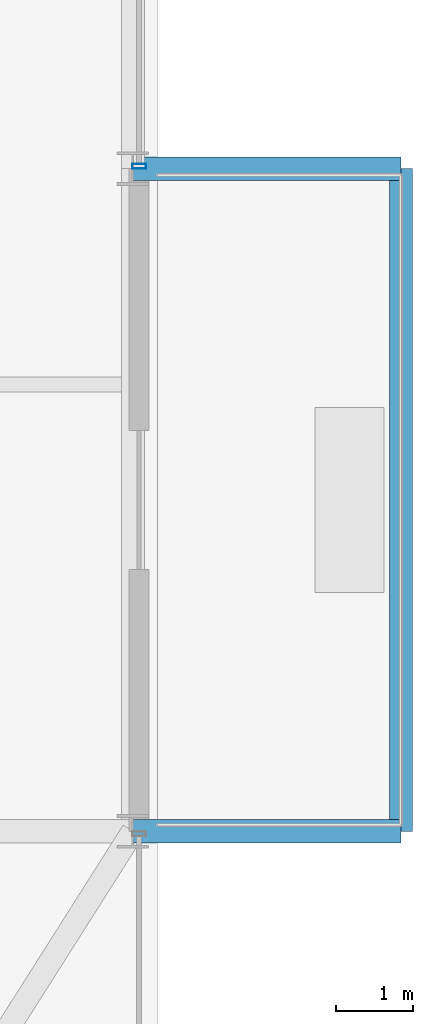
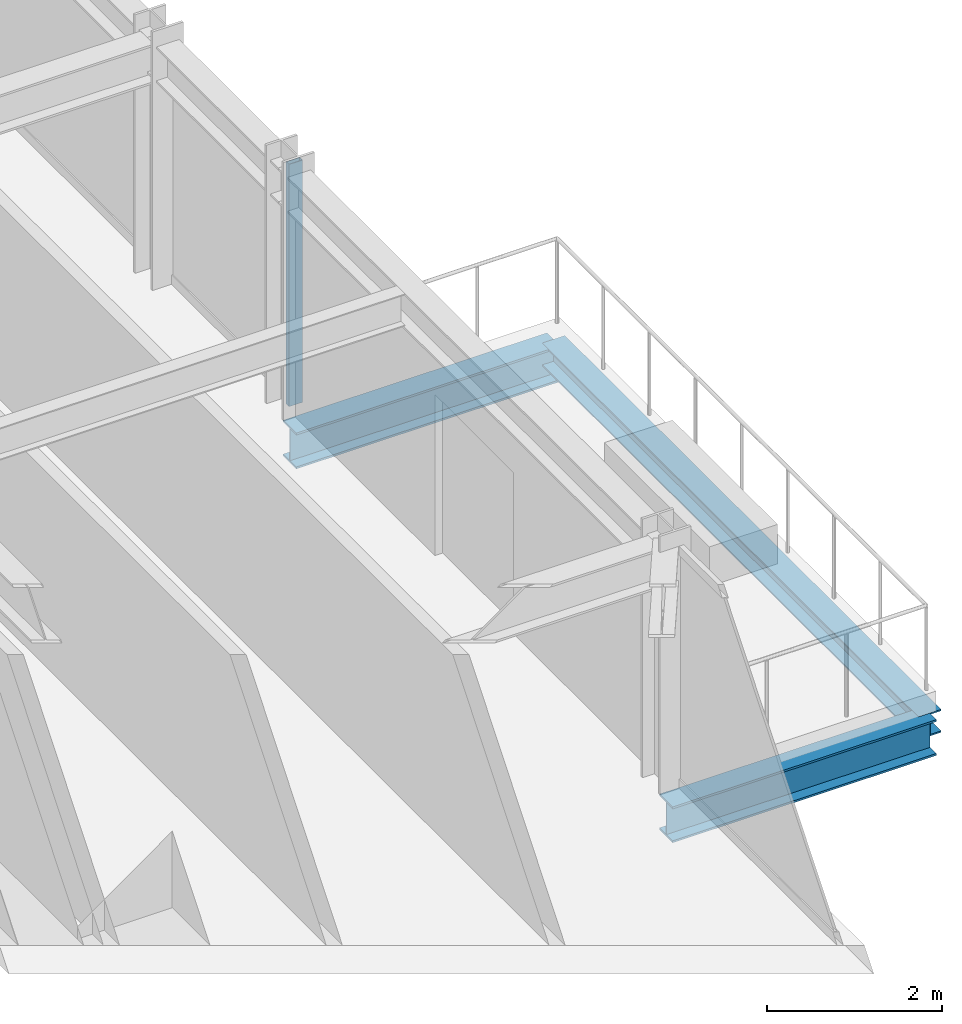
# One storey, part 13 of 34: 3 beams, 1 member, 1 element without a shape of its own.
"""IFC4 building model written with IfcOpenShell, lengths in metres."""

from ifc_helpers import new_model, si_unit, direction, frame, origin, origin_2d, place, context, subcontext, project, spatial, hollow_rectangle, i_section, extrude, source, transform, mapped, material, material_profile, profile_set, type_object, element, aggregate, save


model = new_model("IFC4")

# Units and contexts
model_context = context("Model", 3, precision=1e-05, world=origin(), true_north=direction((0.0, 1.0)))
body_context = subcontext(model_context, "Body", "Model", "MODEL_VIEW")
ifc_project = project(units=[si_unit("LENGTHUNIT", "METRE"), si_unit("AREAUNIT", "SQUARE_METRE"), si_unit("VOLUMEUNIT", "CUBIC_METRE"), si_unit("PLANEANGLEUNIT", "RADIAN"), si_unit("MASSUNIT", "GRAM", prefix="KILO")], contexts=[model_context])

# Site, building, storey
site_placement = place(None, origin())
site = spatial("IfcSite", under=ifc_project, at=site_placement, CompositionType="ELEMENT")
building_placement = place(site_placement, origin())
building = spatial("IfcBuilding", under=site, at=building_placement, Name="Nahalor Promenade Grand Hotel", CompositionType="ELEMENT")
storey_placement = place(building_placement, frame((0.0, 0.0, 128.449951171875)))
storey = spatial("IfcBuildingStorey", under=building, at=storey_placement, Name="L32", CompositionType="ELEMENT", Elevation=128.449951171875)

# Beams
ifc_material_1 = material(Name="Steel S355JR", Category="steel")
ifc_material_profile_1 = material_profile(ifc_material_1, i_section(OverallWidth=0.3, OverallDepth=0.32, WebThickness=0.0115, FlangeThickness=0.0205, at=origin_2d()), Name="HEB 320")
ifc_profile_set_1 = profile_set([ifc_material_profile_1], Name="Steel S355JR")
beam_type_1 = type_object("IfcBeamType", Name="Beam-BalcEdge-HEB320", PredefinedType="SPANDREL", material=ifc_profile_set_1)
shared_shape_1 = source(origin(), body_context, "Body", "SweptSolid", [
    extrude(i_section(OverallWidth=0.3, OverallDepth=0.32, WebThickness=0.0115, FlangeThickness=0.0205, at=origin_2d()), origin(), (0.0, 0.0, 1.0), 8.60009765625),
])
beam_placement = place(storey_placement, frame((27.260009765625, -17.0, -0.43994140625), z_axis=(0.0, 1.0, 0.0), x_axis=(-1.0, 0.0, 0.0)))
element("IfcBeam", 1, at=beam_placement, inside=storey, type_object=beam_type_1, Name="BM-L32-BC-02-F", PredefinedType="SPANDREL", context=body_context, shape_type="MappedRepresentation", body=[
    mapped(shared_shape_1, transform((0.0, 0.0, 0.0), scale=1.0)),
])
ifc_material_profile_2 = material_profile(ifc_material_1, i_section(OverallWidth=0.3, OverallDepth=0.5, WebThickness=0.0145, FlangeThickness=0.028, at=origin_2d()), Name="HEB 500")
ifc_profile_set_2 = profile_set([ifc_material_profile_2], Name="Steel S355JR")
beam_type_2 = type_object("IfcBeamType", Name="Beam-Outrigger-HEB500", PredefinedType="BEAM", material=ifc_profile_set_2)
shared_shape_2 = source(origin(), body_context, "Body", "SweptSolid", [
    extrude(i_section(OverallWidth=0.3, OverallDepth=0.5, WebThickness=0.0145, FlangeThickness=0.028, at=origin_2d()), origin(), (0.0, 0.0, 1.0), 3.47998046875),
])
for number, where, z_axis, x_axis, name in (
    (2, (23.780029296875, -17.0, -0.530029296875), (1.0, 0.0, 0.0), (0.0, 1.0, 0.0), "BM-L32-BC-02-1"),
    (3, (23.780029296875, -8.39990234375, -0.530029296875), (1.0, 0.0, 0.0), (0.0, 1.0, 0.0), "BM-L32-BC-02-2"),
):
    element("IfcBeam", number, at=place(storey_placement, frame(where, z_axis=z_axis, x_axis=x_axis)), inside=storey, type_object=beam_type_2, Name=name, PredefinedType="BEAM", context=body_context, shape_type="MappedRepresentation", body=[
        mapped(shared_shape_2, transform((0.0, 0.0, 0.0), scale=1.0)),
    ])

# Curtain wall, member
ifc_material_2 = material(Name="Anodised Bronze Aluminium EN AW-6063 T6", Category="aluminium")
curtain_wall_type = type_object("IfcCurtainWallType", Name="CW2 Typical Hotel Flush Bronze Unitised Curtain Wall", PredefinedType="USERDEFINED", material=ifc_material_2)
curtain_wall_placement = place(storey_placement, origin())
curtain_wall = element("IfcCurtainWall", 4, at=curtain_wall_placement, inside=storey, type_object=curtain_wall_type, Name="L32 Curtain Wall CW-L32-E-3", ObjectType="UNITISED_CURTAIN_WALL", PredefinedType="USERDEFINED")
ifc_material_profile_3 = material_profile(ifc_material_2, hollow_rectangle(XDim=0.065, YDim=0.18, WallThickness=0.004, at=origin_2d()), Name="CWM 65x180x4")
ifc_profile_set_3 = profile_set([ifc_material_profile_3], Name="Anodised Bronze Aluminium EN AW-6063 T6")
member_type = type_object("IfcMemberType", Name="CWM2 Typical Bronze Mullion 65x180", PredefinedType="MULLION", material=ifc_profile_set_3)
shared_shape_3 = source(origin(), body_context, "Body", "SweptSolid", [
    extrude(hollow_rectangle(XDim=0.065, YDim=0.18, WallThickness=0.004, at=origin_2d()), origin(), (0.0, 0.0, 1.0), 3.380126953125),
])
member_placement = place(storey_placement, frame((23.860107421875, -8.367431640625, 0.0), z_axis=(0.0, 0.0, 1.0), x_axis=(0.0, 1.0, 0.0)))
member = element("IfcMember", 5, at=member_placement, type_object=member_type, Name="CW-L32-E-3 Mullion 0", PredefinedType="MULLION", context=body_context, shape_type="MappedRepresentation", body=[
    mapped(shared_shape_3, transform((0.0, 0.0, 0.0), scale=1.0)),
])
aggregate(curtain_wall, [member])

save(model, "model.ifc")
